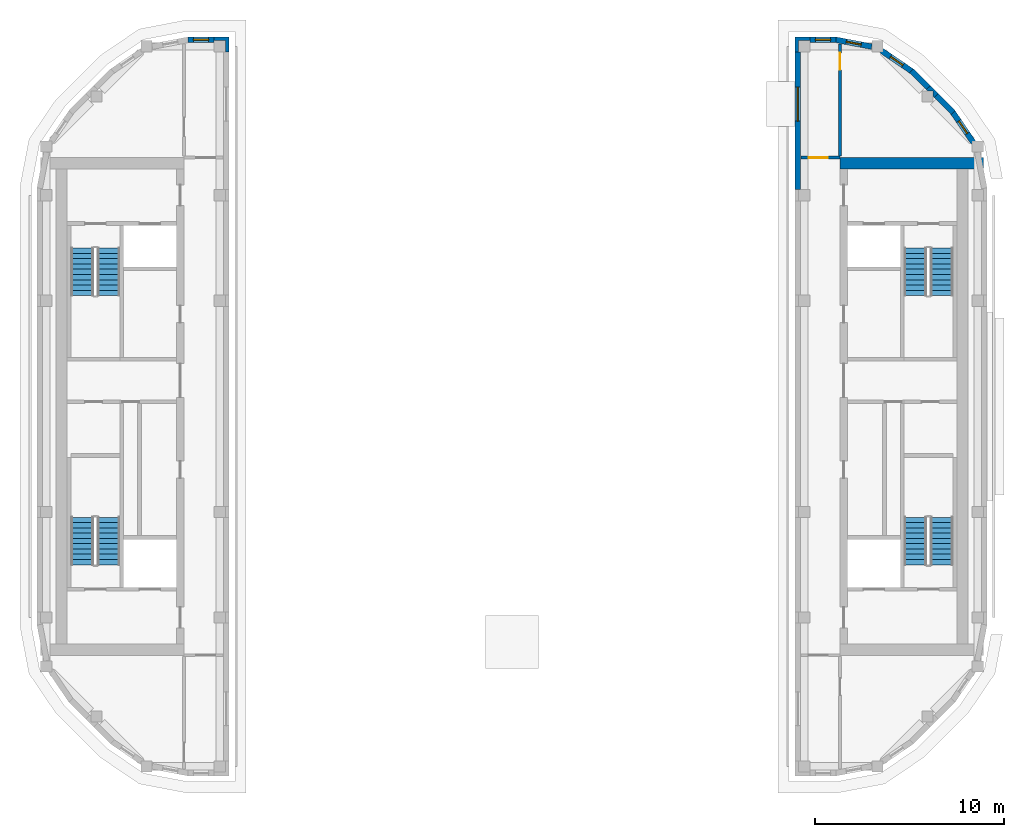
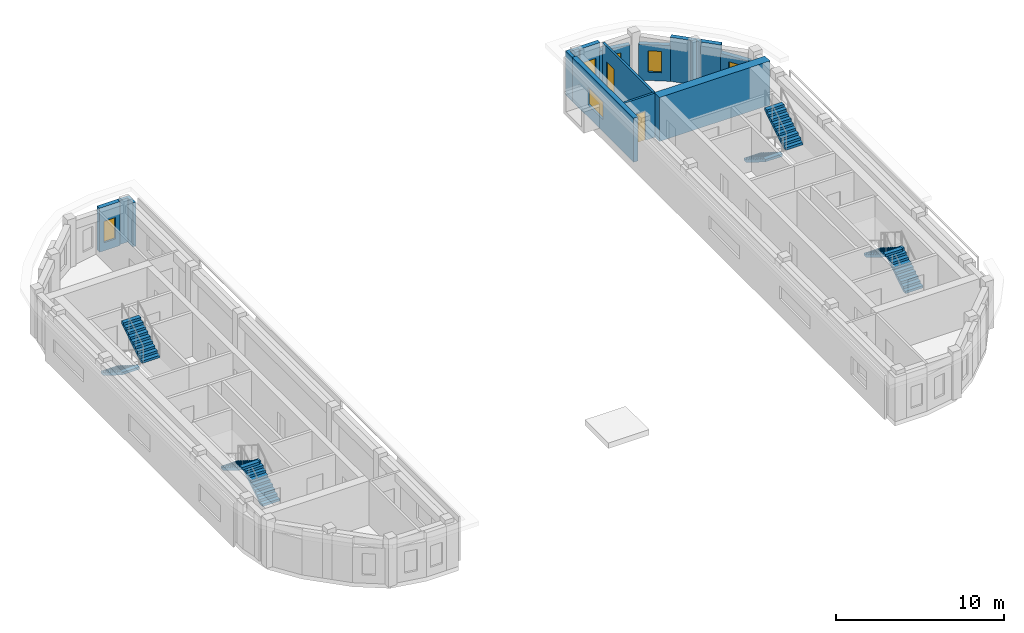
# One storey, part 5 of 11: 14 walls, 8 stair flights, 6 windows, 2 doors, 8 openings, 4 elements without a shape of their own.
"""IFC4 building model written with IfcOpenShell, lengths in metres."""

import ifcopenshell
import ifcopenshell.guid

model = None  # the IFC model being written
_history = None  # IfcOwnerHistory: only IFC2X3 demands one
_inside = {}  # id of a spatial element -> (the spatial element, [elements in it])
_under = {}  # id of a project, library or spatial element -> (it, [spatial elements below it])
_declared = {}  # id of a project -> (the project, [libraries it declares])
_typed = {}  # id of a type object -> (the type object, [elements of that type])
_made_of = {}  # id of a material, layer set ... -> (it, [elements and type objects made of it])


def new_model(schema):
    """Start an empty IFC model of exactly this schema.

    Asked for "IFC4X3", IfcOpenShell would pick the latest addendum, in which some entities
    have other attributes; the version numbers below select the first issue.
    IFC2X3 requires an IfcOwnerHistory on every rooted entity: one is made here for all.
    """
    global model, _history
    if schema == "IFC4X3":
        model = ifcopenshell.file(schema_version=(4, 3, 0, 0))
    else:
        model = ifcopenshell.file(schema=schema)
    _inside.clear()
    _under.clear()
    _declared.clear()
    _typed.clear()
    _made_of.clear()
    _history = None
    if model.schema == "IFC2X3":
        org = make("IfcOrganization", Name="unknown")
        user = make(
            "IfcPersonAndOrganization",
            ThePerson=make("IfcPerson", FamilyName="unknown"),
            TheOrganization=org,
        )
        app = make(
            "IfcApplication",
            ApplicationDeveloper=org,
            Version="unknown",
            ApplicationFullName="unknown",
            ApplicationIdentifier="unknown",
        )
        _history = make(
            "IfcOwnerHistory",
            OwningUser=user,
            OwningApplication=app,
            ChangeAction="ADDED",
            CreationDate=0,
        )
    return model


def make(cls, **values):
    """One entity of the class cls with the attributes given. An attribute that is None is left unset."""
    return model.create_entity(
        cls, **{name: value for name, value in values.items() if value is not None}
    )


def rooted(cls, **values):
    """An entity with a GlobalId (a new one), such as an element, a storey or a relation."""
    return make(cls, GlobalId=ifcopenshell.guid.new(), OwnerHistory=_history, **values)


def si_unit(unit_type, name, prefix=None):
    """IfcSIUnit, for example si_unit("LENGTHUNIT", "METRE", prefix="MILLI")."""
    return make("IfcSIUnit", UnitType=unit_type, Prefix=prefix, Name=name)


def assignment(units):
    """IfcUnitAssignment: the units of a project."""
    return None if units is None else make("IfcUnitAssignment", Units=units)


def point(xyz):
    """IfcCartesianPoint."""
    return None if xyz is None else make("IfcCartesianPoint", Coordinates=xyz)


def direction(xyz):
    """IfcDirection."""
    return None if xyz is None else make("IfcDirection", DirectionRatios=xyz)


def frame(location, z_axis=None, x_axis=None):
    """IfcAxis2Placement3D, a coordinate frame: its origin and axes. An axis left out is left unset."""
    return make(
        "IfcAxis2Placement3D",
        Location=point(location),
        Axis=direction(z_axis),
        RefDirection=direction(x_axis),
    )


def frame_2d(location, x_axis=None):
    """IfcAxis2Placement2D, a coordinate frame in the plane: its origin and x axis."""
    return make(
        "IfcAxis2Placement2D", Location=point(location), RefDirection=direction(x_axis)
    )


def origin():
    """The frame at (0, 0, 0) with its axes left unset."""
    return frame((0.0, 0.0, 0.0))


def place(relative_to, where):
    """IfcLocalPlacement: puts the frame where relative to a parent placement (None: the world)."""
    return make(
        "IfcLocalPlacement", PlacementRelTo=relative_to, RelativePlacement=where
    )


def context(
    kind, dimensions, precision=None, world=None, true_north=None, identifier=None
):
    """IfcGeometricRepresentationContext, for example the 3D "Model" context."""
    return make(
        "IfcGeometricRepresentationContext",
        ContextIdentifier=identifier,
        ContextType=kind,
        CoordinateSpaceDimension=dimensions,
        Precision=precision,
        WorldCoordinateSystem=world,
        TrueNorth=true_north,
    )


def subcontext(parent, identifier, kind, view, scale=None):
    """IfcGeometricRepresentationSubContext, for example "Body" below "Model"."""
    return make(
        "IfcGeometricRepresentationSubContext",
        ContextIdentifier=identifier,
        ContextType=kind,
        ParentContext=parent,
        TargetScale=scale,
        TargetView=view,
    )


def project(units=None, contexts=None):
    """IfcProject with its units and contexts."""
    return rooted(
        "IfcProject",
        Name="project",
        RepresentationContexts=contexts,
        UnitsInContext=assignment(units),
    )


def spatial(cls, under=None, at=None, **own):
    """A site, building, storey or space (cls), placed at a placement, below another one or the project."""
    s = rooted(cls, ObjectPlacement=at, **own)
    if under is not None:
        _under.setdefault(under.id(), (under, []))[1].append(s)
    return s


def polyline(points):
    """IfcPolyline through the points."""
    return make("IfcPolyline", Points=[point(p) for p in points])


def profile(cls, at=None, kind="AREA", **sizes):
    """A parametric profile (cls). Its sizes go by their IFC names, for example OverallWidth=200.0."""
    return make(cls, ProfileType=kind, Position=at, **sizes)


def rectangle(**sizes):
    """IfcRectangleProfileDef."""
    return profile("IfcRectangleProfileDef", **sizes)


def outline(outer, holes=None, kind="AREA"):
    """IfcArbitraryClosedProfileDef: a profile drawn as a closed curve; with holes, ...WithVoids."""
    if holes is None:
        return make("IfcArbitraryClosedProfileDef", ProfileType=kind, OuterCurve=outer)
    return make(
        "IfcArbitraryProfileDefWithVoids",
        ProfileType=kind,
        OuterCurve=outer,
        InnerCurves=holes,
    )


def extrude(swept, where, along, depth):
    """IfcExtrudedAreaSolid: the profile swept, set in the frame where, extruded along a direction by depth."""
    return make(
        "IfcExtrudedAreaSolid",
        SweptArea=swept,
        Position=where,
        ExtrudedDirection=direction(along),
        Depth=depth,
    )


def shape(context_of_items, identifier, shape_type, items):
    """IfcShapeRepresentation: the items that make up one representation, for example the "Body"."""
    return make(
        "IfcShapeRepresentation",
        ContextOfItems=context_of_items,
        RepresentationIdentifier=identifier,
        RepresentationType=shape_type,
        Items=items,
    )


def material(Name=None, Category=None):
    """IfcMaterial."""
    return make("IfcMaterial", Name=Name, Category=Category)


def layer(
    of_material, thickness, ventilated=None, Name=None, Category=None, Priority=None
):
    """IfcMaterialLayer: one layer of a wall or slab, of a material (None: an air gap)."""
    return make(
        "IfcMaterialLayer",
        Material=of_material,
        LayerThickness=thickness,
        IsVentilated=ventilated,
        Name=Name,
        Category=Category,
        Priority=Priority,
    )


def layer_set(layers, Name=None):
    """IfcMaterialLayerSet."""
    return make("IfcMaterialLayerSet", MaterialLayers=layers, LayerSetName=Name)


def made_of(thing, what):
    """Note that an element or type object is made of a material, layer set ...; save() writes the relation."""
    if what is not None:
        _made_of.setdefault(what.id(), (what, []))[1].append(thing)
    return thing


def type_object(cls, material=None, **own):
    """A type object (cls), such as IfcWallType, which elements share."""
    return made_of(rooted(cls, **own), material)


def element(
    cls,
    number,
    at=None,
    inside=None,
    cuts=None,
    type_object=None,
    material=None,
    context=None,
    identifier="Body",
    shape_type=None,
    held_by="IfcProductDefinitionShape",
    body=None,
    shapes=None,
    **own,
):
    """One element of the class cls, such as IfcWall. Its Tag is "e" and its number.

    at: its placement. inside: the storey or other place that contains it. cuts: it is an
    opening in that element (IfcRelVoidsElement). A single representation is given by context,
    identifier, shape_type and body (its items); several are given by shapes. held_by: the class
    of the entity that holds the representations. save() writes the other relations.
    """
    e = rooted(cls, Tag="e%d" % number, ObjectPlacement=at, **own)
    if body is not None:
        shapes = [shape(context, identifier, shape_type, body)]
    if shapes is not None:
        e.Representation = make(held_by, Representations=shapes)
    if inside is not None:
        _inside.setdefault(inside.id(), (inside, []))[1].append(e)
    if cuts is not None:
        rooted(
            "IfcRelVoidsElement", RelatingBuildingElement=cuts, RelatedOpeningElement=e
        )
    if type_object is not None:
        _typed.setdefault(type_object.id(), (type_object, []))[1].append(e)
    return made_of(e, material)


def fill(opening, filler):
    """IfcRelFillsElement: the door or window that sits in an opening."""
    return rooted(
        "IfcRelFillsElement",
        RelatingOpeningElement=opening,
        RelatedBuildingElement=filler,
    )


def aggregate(whole, parts):
    """IfcRelAggregates: a whole, such as a stair, and the parts it consists of."""
    return rooted("IfcRelAggregates", RelatingObject=whole, RelatedObjects=parts)


def save(model, path):
    """Write the relations noted so far, then the file.

    IfcRelAggregates (storeys below a building ...), IfcRelContainedInSpatialStructure (elements
    in a storey), IfcRelDefinesByType, IfcRelAssociatesMaterial and IfcRelDeclares: one each for
    every whole, place, type object, material and project.
    """
    for whole, parts in _under.values():
        aggregate(whole, parts)
    for where, things in _inside.values():
        rooted(
            "IfcRelContainedInSpatialStructure",
            RelatedElements=things,
            RelatingStructure=where,
        )
    for kind, things in _typed.values():
        rooted("IfcRelDefinesByType", RelatedObjects=things, RelatingType=kind)
    for what, things in _made_of.values():
        rooted("IfcRelAssociatesMaterial", RelatedObjects=things, RelatingMaterial=what)
    for by, libraries in _declared.values():
        rooted("IfcRelDeclares", RelatingContext=by, RelatedDefinitions=libraries)
    model.write(path)


model = new_model("IFC4")

# Units and contexts
model_context = context("Model", 3, precision=1e-05, world=origin(), true_north=direction((0.0, 1.0)))
body_context = subcontext(model_context, "Body", "Model", "MODEL_VIEW")
ifc_project = project(units=[si_unit("LENGTHUNIT", "METRE"), si_unit("AREAUNIT", "SQUARE_METRE"), si_unit("VOLUMEUNIT", "CUBIC_METRE"), si_unit("PLANEANGLEUNIT", "RADIAN"), si_unit("MASSUNIT", "GRAM", prefix="KILO")], contexts=[model_context])

# Site, building, storey
site_placement = place(None, origin())
site = spatial("IfcSite", under=ifc_project, at=site_placement, CompositionType="ELEMENT")
building_placement = place(site_placement, origin())
building = spatial("IfcBuilding", under=site, at=building_placement, Name="Kiln Ring Residences", CompositionType="ELEMENT")
storey_placement = place(building_placement, frame((0.0, 0.0, 303.39990234375)))
storey = spatial("IfcBuildingStorey", under=building, at=storey_placement, Name="L78 Crown", CompositionType="ELEMENT", Elevation=303.39990234375)

# Wall
ifc_material_1 = material(Name="Concrete C60/75", Category="concrete")
ifc_layer_1 = layer(ifc_material_1, 0.60009765625)
ifc_layer_set_1 = layer_set([ifc_layer_1], Name="CORE-WALL-RC600")
wall_type_1 = type_object("IfcWallType", Name="CORE-WALL-RC600", PredefinedType="SHEAR", material=ifc_layer_set_1)
wall_1_placement = place(storey_placement, frame((17.39990234375, 12.89990234375, 0.0), z_axis=(0.0, 0.0, 1.0), x_axis=(1.0, 0.0, 0.0)))
element("IfcWall", 1, at=wall_1_placement, inside=storey, type_object=wall_type_1, Name="Core wall east L78 Crown 4", PredefinedType="SHEAR", context=body_context, shape_type="SweptSolid", body=[
    extrude(rectangle(XDim=7.60009765625, YDim=0.60009765625, at=frame_2d((3.800048828125, 0.0))), origin(), (0.0, 0.0, 1.0), 3.2001953125),
])

# Wall, opening, window
ifc_material_2 = material(Name="Brick masonry, dark clay brick", Category="masonry")
ifc_layer_2 = layer(ifc_material_2, 0.300048828125)
ifc_layer_set_2 = layer_set([ifc_layer_2], Name="EW-300 BRICK WALL")
wall_type_2 = type_object("IfcWallType", Name="EW-300 BRICK WALL", PredefinedType="SOLIDWALL", material=ifc_layer_set_2)
wall_2_placement = place(storey_placement, frame((-15.800048828125, 19.449951171875, 0.0), z_axis=(0.0, 0.0, 1.0), x_axis=(-1.0, 0.0, 0.0)))
wall_2 = element("IfcWall", 2, at=wall_2_placement, inside=storey, type_object=wall_type_2, Name="Facade wall L78 Crown 9", PredefinedType="SOLIDWALL", context=body_context, shape_type="SweptSolid", body=[
    extrude(rectangle(XDim=1.39990234375, YDim=0.300048828125, at=frame_2d((0.699951171875, 0.0))), origin(), (0.0, 0.0, 1.0), 3.2001953125),
])
opening_1_placement = place(wall_2_placement, frame((0.300048828125, 0.0, 0.60009765625)))
opening_1 = element("IfcOpeningElement", 3, at=opening_1_placement, cuts=wall_2, Name="Opening W5", PredefinedType="OPENING", context=body_context, shape_type="SweptSolid", body=[
    extrude(rectangle(XDim=0.800048828125, YDim=1.550048828125, at=frame_2d((0.39990234375, 0.77490234375))), frame((0.0, 0.159912109375, 0.0), z_axis=(0.0, -1.0, 0.0), x_axis=(1.0, 0.0, 0.0)), (0.0, 0.0, 1.0), 0.320068359375),
])
ifc_material_3 = material(Name="Aluminium frame with double glazing", Category="aluminium")
window_type_1 = type_object("IfcWindowType", Name="WINDOW 800 x 1550", PartitioningType="SINGLE_PANEL", PredefinedType="WINDOW", material=ifc_material_3)
window_1_placement = place(opening_1_placement, origin())
window_1 = element("IfcWindow", 4, at=window_1_placement, inside=storey, type_object=window_type_1, Name="Window L78 Crown 6", OverallHeight=1.550048828125, OverallWidth=0.800048828125, PartitioningType="SINGLE_PANEL", PredefinedType="WINDOW", context=body_context, shape_type="SweptSolid", body=[
    extrude(rectangle(XDim=0.800048828125, YDim=1.550048828125, at=frame_2d((0.39990234375, 0.77490234375))), frame((0.0, 0.030029296875, 0.0), z_axis=(0.0, -1.0, 0.0), x_axis=(1.0, 0.0, 0.0)), (0.0, 0.0, 1.0), 0.06005859375),
])
fill(opening_1, window_1)

wall_3_placement = place(storey_placement, frame((15.14990234375, 18.800048828125, 0.0), z_axis=(0.0, 0.0, 1.0), x_axis=(0.0, -1.0, 0.0)))
wall_3 = element("IfcWall", 5, at=wall_3_placement, inside=storey, type_object=wall_type_2, Name="Facade wall L78 Crown 23", PredefinedType="SOLIDWALL", context=body_context, shape_type="SweptSolid", body=[
    extrude(rectangle(XDim=7.300048828125, YDim=0.300048828125, at=frame_2d((3.64990234375, 0.0))), origin(), (0.0, 0.0, 1.0), 3.2001953125),
])
opening_2_placement = place(wall_3_placement, frame((1.862548828125, 0.0, 0.89990234375)))
opening_2 = element("IfcOpeningElement", 6, at=opening_2_placement, cuts=wall_3, Name="Opening W2", PredefinedType="OPENING", context=body_context, shape_type="SweptSolid", body=[
    extrude(rectangle(XDim=1.800048828125, YDim=1.25, at=frame_2d((0.89990234375, 0.625))), frame((0.0, 0.159912109375, 0.0), z_axis=(0.0, -1.0, 0.0), x_axis=(1.0, 0.0, 0.0)), (0.0, 0.0, 1.0), 0.320068359375),
])
ifc_material_4 = material(Name="Aluminium frame with double glazing", Category="aluminium")
window_type_2 = type_object("IfcWindowType", Name="WINDOW 1800 x 1250", PartitioningType="SINGLE_PANEL", PredefinedType="WINDOW", material=ifc_material_4)
window_2_placement = place(opening_2_placement, origin())
window_2 = element("IfcWindow", 7, at=window_2_placement, inside=storey, type_object=window_type_2, Name="Window L78 Crown 10", OverallHeight=1.25, OverallWidth=1.800048828125, PartitioningType="SINGLE_PANEL", PredefinedType="WINDOW", context=body_context, shape_type="SweptSolid", body=[
    extrude(rectangle(XDim=1.800048828125, YDim=1.25, at=frame_2d((0.89990234375, 0.625))), frame((0.0, 0.030029296875, 0.0), z_axis=(0.0, -1.0, 0.0), x_axis=(1.0, 0.0, 0.0)), (0.0, 0.0, 1.0), 0.06005859375),
])
fill(opening_2, window_2)

wall_4_placement = place(storey_placement, frame((24.4736328125, 14.001708984375, 0.0), z_axis=(0.0, 0.0, 1.0), x_axis=(-0.562025435703, 0.827119948752, 0.0)))
wall_4 = element("IfcWall", 8, at=wall_4_placement, inside=storey, type_object=wall_type_2, Name="Facade wall L78 Crown 39", PredefinedType="SOLIDWALL", context=body_context, shape_type="SweptSolid", body=[
    extrude(rectangle(XDim=1.94775390625, YDim=0.300048828125, at=frame_2d((0.973876953125, 0.0))), origin(), (0.0, 0.0, 1.0), 2.60009765625),
])
opening_3_placement = place(wall_4_placement, frame((0.573974609375, 0.0, 0.60009765625)))
opening_3 = element("IfcOpeningElement", 9, at=opening_3_placement, cuts=wall_4, Name="Opening W5", PredefinedType="OPENING", context=body_context, shape_type="SweptSolid", body=[
    extrude(rectangle(XDim=0.800048828125, YDim=1.550048828125, at=frame_2d((0.39990234375, 0.77490234375))), frame((0.0, 0.159912109375, 0.0), z_axis=(0.0, -1.0, 0.0), x_axis=(1.0, 0.0, 0.0)), (0.0, 0.0, 1.0), 0.320068359375),
])
window_3_placement = place(opening_3_placement, origin())
window_3 = element("IfcWindow", 10, at=window_3_placement, inside=storey, type_object=window_type_1, Name="Window L78 Crown 16", OverallHeight=1.550048828125, OverallWidth=0.800048828125, PartitioningType="SINGLE_PANEL", PredefinedType="WINDOW", context=body_context, shape_type="SweptSolid", body=[
    extrude(rectangle(XDim=0.800048828125, YDim=1.550048828125, at=frame_2d((0.39990234375, 0.77490234375))), frame((0.0, 0.030029296875, 0.0), z_axis=(0.0, -1.0, 0.0), x_axis=(1.0, 0.0, 0.0)), (0.0, 0.0, 1.0), 0.06005859375),
])
fill(opening_3, window_3)

# Walls
for number, where, z_axis, x_axis, name in (
    (11, (23.39697265625, 15.591064453125, 0.0), (0.0, 0.0, 1.0), (-0.707203678312, 0.707009870781, 0.0), "Facade wall L78 Crown 40"),
    (12, (22.081787109375, 16.906005859375, 0.0), (0.0, 0.0, 1.0), (-0.707106781187, 0.707106781187, 0.0), "Facade wall L78 Crown 41"),
):
    element("IfcWall", number, at=place(storey_placement, frame(where, z_axis=z_axis, x_axis=x_axis)), inside=storey, type_object=wall_type_2, Name=name, PredefinedType="SOLIDWALL", context=body_context, shape_type="SweptSolid", body=[
        extrude(rectangle(XDim=1.259765625, YDim=0.300048828125, at=frame_2d((0.6298828125, 0.0))), origin(), (0.0, 0.0, 1.0), 3.2001953125),
    ])

# Wall, opening, window
wall_5_placement = place(storey_placement, frame((21.212646484375, 17.77880859375, 0.0), z_axis=(0.0, 0.0, 1.0), x_axis=(-0.827022075481, 0.562169446579, 0.0)))
wall_5 = element("IfcWall", 13, at=wall_5_placement, inside=storey, type_object=wall_type_2, Name="Facade wall L78 Crown 42", PredefinedType="SOLIDWALL", context=body_context, shape_type="SweptSolid", body=[
    extrude(rectangle(XDim=1.94775390625, YDim=0.300048828125, at=frame_2d((0.973876953125, 0.0))), origin(), (0.0, 0.0, 1.0), 2.60009765625),
])
opening_4_placement = place(wall_5_placement, frame((0.573974609375, 0.0, 0.60009765625)))
opening_4 = element("IfcOpeningElement", 14, at=opening_4_placement, cuts=wall_5, Name="Opening W5", PredefinedType="OPENING", context=body_context, shape_type="SweptSolid", body=[
    extrude(rectangle(XDim=0.800048828125, YDim=1.550048828125, at=frame_2d((0.39990234375, 0.77490234375))), frame((0.0, 0.159912109375, 0.0), z_axis=(0.0, -1.0, 0.0), x_axis=(1.0, 0.0, 0.0)), (0.0, 0.0, 1.0), 0.320068359375),
])
window_4_placement = place(opening_4_placement, origin())
window_4 = element("IfcWindow", 15, at=window_4_placement, inside=storey, type_object=window_type_1, Name="Window L78 Crown 17", OverallHeight=1.550048828125, OverallWidth=0.800048828125, PartitioningType="SINGLE_PANEL", PredefinedType="WINDOW", context=body_context, shape_type="SweptSolid", body=[
    extrude(rectangle(XDim=0.800048828125, YDim=1.550048828125, at=frame_2d((0.39990234375, 0.77490234375))), frame((0.0, 0.030029296875, 0.0), z_axis=(0.0, -1.0, 0.0), x_axis=(1.0, 0.0, 0.0)), (0.0, 0.0, 1.0), 0.06005859375),
])
fill(opening_4, window_4)

wall_6_placement = place(storey_placement, frame((19.085205078125, 19.087646484375, 0.0), z_axis=(0.0, 0.0, 1.0), x_axis=(-0.982286967073, 0.187382801553, 0.0)))
wall_6 = element("IfcWall", 16, at=wall_6_placement, inside=storey, type_object=wall_type_2, Name="Facade wall L78 Crown 43", PredefinedType="SOLIDWALL", context=body_context, shape_type="SweptSolid", body=[
    extrude(rectangle(XDim=1.94775390625, YDim=0.300048828125, at=frame_2d((0.973876953125, 0.0))), origin(), (0.0, 0.0, 1.0), 2.60009765625),
])
opening_5_placement = place(wall_6_placement, frame((0.573974609375, 0.0, 0.60009765625)))
opening_5 = element("IfcOpeningElement", 17, at=opening_5_placement, cuts=wall_6, Name="Opening W5", PredefinedType="OPENING", context=body_context, shape_type="SweptSolid", body=[
    extrude(rectangle(XDim=0.800048828125, YDim=1.550048828125, at=frame_2d((0.39990234375, 0.77490234375))), frame((0.0, 0.159912109375, 0.0), z_axis=(0.0, -1.0, 0.0), x_axis=(1.0, 0.0, 0.0)), (0.0, 0.0, 1.0), 0.320068359375),
])
window_5_placement = place(opening_5_placement, origin())
window_5 = element("IfcWindow", 18, at=window_5_placement, inside=storey, type_object=window_type_1, Name="Window L78 Crown 18", OverallHeight=1.550048828125, OverallWidth=0.800048828125, PartitioningType="SINGLE_PANEL", PredefinedType="WINDOW", context=body_context, shape_type="SweptSolid", body=[
    extrude(rectangle(XDim=0.800048828125, YDim=1.550048828125, at=frame_2d((0.39990234375, 0.77490234375))), frame((0.0, 0.030029296875, 0.0), z_axis=(0.0, -1.0, 0.0), x_axis=(1.0, 0.0, 0.0)), (0.0, 0.0, 1.0), 0.06005859375),
])
fill(opening_5, window_5)

wall_7_placement = place(storey_placement, frame((17.199951171875, 19.449951171875, 0.0), z_axis=(0.0, 0.0, 1.0), x_axis=(-1.0, 0.0, 0.0)))
wall_7 = element("IfcWall", 19, at=wall_7_placement, inside=storey, type_object=wall_type_2, Name="Facade wall L78 Crown 44", PredefinedType="SOLIDWALL", context=body_context, shape_type="SweptSolid", body=[
    extrude(rectangle(XDim=1.39990234375, YDim=0.300048828125, at=frame_2d((0.699951171875, 0.0))), origin(), (0.0, 0.0, 1.0), 3.2001953125),
])
opening_6_placement = place(wall_7_placement, frame((0.300048828125, 0.0, 0.60009765625)))
opening_6 = element("IfcOpeningElement", 20, at=opening_6_placement, cuts=wall_7, Name="Opening W5", PredefinedType="OPENING", context=body_context, shape_type="SweptSolid", body=[
    extrude(rectangle(XDim=0.800048828125, YDim=1.550048828125, at=frame_2d((0.39990234375, 0.77490234375))), frame((0.0, 0.159912109375, 0.0), z_axis=(0.0, -1.0, 0.0), x_axis=(1.0, 0.0, 0.0)), (0.0, 0.0, 1.0), 0.320068359375),
])
window_6_placement = place(opening_6_placement, origin())
window_6 = element("IfcWindow", 21, at=window_6_placement, inside=storey, type_object=window_type_1, Name="Window L78 Crown 19", OverallHeight=1.550048828125, OverallWidth=0.800048828125, PartitioningType="SINGLE_PANEL", PredefinedType="WINDOW", context=body_context, shape_type="SweptSolid", body=[
    extrude(rectangle(XDim=0.800048828125, YDim=1.550048828125, at=frame_2d((0.39990234375, 0.77490234375))), frame((0.0, 0.030029296875, 0.0), z_axis=(0.0, -1.0, 0.0), x_axis=(1.0, 0.0, 0.0)), (0.0, 0.0, 1.0), 0.06005859375),
])
fill(opening_6, window_6)

# Walls
placement = place(storey_placement, origin())
element("IfcWall", 22, at=placement, inside=storey, type_object=wall_type_2, Name="Corner wall L78 Crown 6", PredefinedType="SOLIDWALL", context=body_context, shape_type="SweptSolid", body=[
    extrude(outline(polyline([(-15.0, 18.800048828125), (-15.0, 19.60009765625), (-15.800048828125, 19.60009765625), (-15.800048828125, 19.39990234375), (-15.199951171875, 19.39990234375), (-15.199951171875, 18.800048828125), (-15.0, 18.800048828125)])), origin(), (0.0, 0.0, 1.0), 3.2001953125),
])
element("IfcWall", 23, at=placement, inside=storey, type_object=wall_type_2, Name="Corner wall L78 Crown 13", PredefinedType="SOLIDWALL", context=body_context, shape_type="SweptSolid", body=[
    extrude(outline(polyline([(22.39990234375, 16.375732421875), (22.612060546875, 16.587890625), (22.18798828125, 17.01220703125), (21.9755859375, 16.800048828125), (22.029296875, 16.746337890625), (22.346435546875, 16.746337890625), (22.346435546875, 16.42919921875), (22.39990234375, 16.375732421875)])), origin(), (0.0, 0.0, 1.0), 3.2001953125),
])
element("IfcWall", 24, at=placement, inside=storey, type_object=wall_type_2, Name="Corner wall L78 Crown 24", PredefinedType="SOLIDWALL", context=body_context, shape_type="SweptSolid", body=[
    extrude(outline(polyline([(15.800048828125, 19.60009765625), (15.0, 19.60009765625), (15.0, 18.800048828125), (15.199951171875, 18.800048828125), (15.199951171875, 19.39990234375), (15.800048828125, 19.39990234375), (15.800048828125, 19.60009765625)])), origin(), (0.0, 0.0, 1.0), 3.2001953125),
])

# Wall, opening, door
ifc_material_5 = material(Name="Brick masonry partition", Category="masonry")
ifc_layer_3 = layer(ifc_material_5, 0.14990234375)
ifc_layer_set_3 = layer_set([ifc_layer_3], Name="PARTITION-150-ei60")
wall_type_3 = type_object("IfcWallType", Name="PARTITION-150-ei60", PredefinedType="PARTITIONING", material=ifc_layer_set_3)
wall_11_placement = place(storey_placement, frame((15.320068359375, 13.199951171875, 0.0), z_axis=(0.0, 0.0, 1.0), x_axis=(1.0, 0.0, 0.0)))
wall_11 = element("IfcWall", 25, at=wall_11_placement, inside=storey, type_object=wall_type_3, Name="Partition 003", PredefinedType="PARTITIONING", context=body_context, shape_type="SweptSolid", body=[
    extrude(rectangle(XDim=2.0849609375, YDim=0.14990234375, at=frame_2d((1.04248046875, 0.0))), origin(), (0.0, 0.0, 1.0), 3.2001953125),
])
opening_7_placement = place(wall_11_placement, frame((0.429931640625, 0.0, 0.0)))
opening_7 = element("IfcOpeningElement", 26, at=opening_7_placement, cuts=wall_11, Name="Opening L78-D005", PredefinedType="OPENING", context=body_context, shape_type="SweptSolid", body=[
    extrude(rectangle(XDim=1.0, YDim=2.10009765625, at=frame_2d((0.5, 1.050048828125))), frame((0.0, 0.0849609375, 0.0), z_axis=(0.0, -1.0, 0.0), x_axis=(1.0, 0.0, 0.0)), (0.0, 0.0, 1.0), 0.169921875),
])
ifc_material_6 = material(Name="Steel faced fire door leaf", Category="steel")
door_type_1 = type_object("IfcDoorType", Name="FLAT-DOOR-1000-FR", OperationType="SINGLE_SWING_LEFT", PredefinedType="DOOR", material=ifc_material_6)
door_1_placement = place(opening_7_placement, origin())
door_1 = element("IfcDoor", 27, at=door_1_placement, inside=storey, type_object=door_type_1, Name="Door L78-D005", OperationType="SINGLE_SWING_RIGHT", OverallHeight=2.10009765625, OverallWidth=1.0, PredefinedType="DOOR", context=body_context, shape_type="SweptSolid", body=[
    extrude(rectangle(XDim=1.0, YDim=2.10009765625, at=frame_2d((0.5, 1.050048828125))), frame((0.0, 0.02490234375, 0.0), z_axis=(0.0, -1.0, 0.0), x_axis=(1.0, 0.0, 0.0)), (0.0, 0.0, 1.0), 0.050048828125),
])
fill(opening_7, door_1)

wall_12_placement = place(storey_placement, frame((17.39990234375, 13.27490234375, 0.0), z_axis=(0.0, 0.0, 1.0), x_axis=(0.0, 1.0, 0.0)))
wall_12 = element("IfcWall", 28, at=wall_12_placement, inside=storey, type_object=wall_type_3, Name="Partition 007", PredefinedType="PARTITIONING", context=body_context, shape_type="SweptSolid", body=[
    extrude(rectangle(XDim=5.96142578125, YDim=0.14990234375, at=frame_2d((2.980712890625, 0.0))), origin(), (0.0, 0.0, 1.0), 3.2001953125),
])
opening_8_placement = place(wall_12_placement, frame((4.574951171875, 0.0, 0.0)))
opening_8 = element("IfcOpeningElement", 29, at=opening_8_placement, cuts=wall_12, Name="Opening L78-D006", PredefinedType="OPENING", context=body_context, shape_type="SweptSolid", body=[
    extrude(rectangle(XDim=0.89990234375, YDim=2.10009765625, at=frame_2d((0.449951171875, 1.050048828125))), frame((0.0, 0.0849609375, 0.0), z_axis=(0.0, -1.0, 0.0), x_axis=(1.0, 0.0, 0.0)), (0.0, 0.0, 1.0), 0.169921875),
])
ifc_material_7 = material(Name="Steel faced fire door leaf", Category="steel")
door_type_2 = type_object("IfcDoorType", Name="FLAT-DOOR-900-FR", OperationType="SINGLE_SWING_LEFT", PredefinedType="DOOR", material=ifc_material_7)
door_2_placement = place(opening_8_placement, origin())
door_2 = element("IfcDoor", 30, at=door_2_placement, inside=storey, type_object=door_type_2, Name="Door L78-D006", OperationType="SINGLE_SWING_RIGHT", OverallHeight=2.10009765625, OverallWidth=0.89990234375, PredefinedType="DOOR", context=body_context, shape_type="SweptSolid", body=[
    extrude(rectangle(XDim=0.89990234375, YDim=2.10009765625, at=frame_2d((0.449951171875, 1.050048828125))), frame((0.0, 0.02490234375, 0.0), z_axis=(0.0, -1.0, 0.0), x_axis=(1.0, 0.0, 0.0)), (0.0, 0.0, 1.0), 0.050048828125),
])
fill(opening_8, door_2)

# Stair, stair flights
ifc_material_8 = material(Name="Concrete C40/50", Category="concrete")
stair_type = type_object("IfcStairType", Name="CORE-STAIR", PredefinedType="HALF_TURN_STAIR", material=ifc_material_8)
stair_1 = element("IfcStair", 31, at=placement, inside=storey, type_object=stair_type, Name="L78 Crown stair W-STN", PredefinedType="HALF_TURN_STAIR")
ifc_material_9 = material(Name="Concrete C40/50", Category="concrete")
stair_flight_type = type_object("IfcStairFlightType", Name="CORE-STAIR-FLIGHT", PredefinedType="STRAIGHT", material=ifc_material_9)
stair_flight_1_placement = place(storey_placement, frame((-22.800048828125, 8.39990234375, 0.0), z_axis=(0.0, 0.0, 1.0), x_axis=(0.0, -1.0, 0.0)))
stair_flight_1 = element("IfcStairFlight", 32, at=stair_flight_1_placement, type_object=stair_flight_type, Name="W-STN flight 1", NumberOfRisers=10, NumberOfTreads=9, PredefinedType="STRAIGHT", RiserHeight=0.175, TreadLength=0.28, context=body_context, shape_type="SweptSolid", body=[
    extrude(outline(polyline([(0.0, 0.0), (0.0, 0.175048828125), (0.280029296875, 0.175048828125), (0.280029296875, 0.35009765625), (0.56005859375, 0.35009765625), (0.56005859375, 0.52490234375), (0.840087890625, 0.52490234375), (0.840087890625, 0.699951171875), (1.1201171875, 0.699951171875), (1.1201171875, 0.875), (1.39990234375, 0.875), (1.39990234375, 1.050048828125), (1.679931640625, 1.050048828125), (1.679931640625, 1.22509765625), (1.9599609375, 1.22509765625), (1.9599609375, 1.39990234375), (2.239990234375, 1.39990234375), (2.239990234375, 1.574951171875), (2.52001953125, 1.574951171875), (2.52001953125, 1.75), (2.52001953125, 1.398193359375), (0.28271484375, 0.0), (0.0, 0.0)])), frame((0.0, 0.60009765625, 0.0), z_axis=(0.0, -1.0, 0.0), x_axis=(1.0, 0.0, 0.0)), (0.0, 0.0, 1.0), 1.199951171875),
])
stair_flight_2_placement = place(storey_placement, frame((-21.39990234375, 5.8798828125, 1.75), z_axis=(0.0, 0.0, 1.0), x_axis=(0.0, 1.0, 0.0)))
stair_flight_2 = element("IfcStairFlight", 33, at=stair_flight_2_placement, type_object=stair_flight_type, Name="W-STN flight 2", NumberOfRisers=10, NumberOfTreads=9, PredefinedType="STRAIGHT", RiserHeight=0.175, TreadLength=0.28, context=body_context, shape_type="SweptSolid", body=[
    extrude(outline(polyline([(0.0, 0.0), (0.0, 0.175048828125), (0.280029296875, 0.175048828125), (0.280029296875, 0.35009765625), (0.56005859375, 0.35009765625), (0.56005859375, 0.52490234375), (0.840087890625, 0.52490234375), (0.840087890625, 0.699951171875), (1.1201171875, 0.699951171875), (1.1201171875, 0.875), (1.39990234375, 0.875), (1.39990234375, 1.050048828125), (1.679931640625, 1.050048828125), (1.679931640625, 1.22509765625), (1.9599609375, 1.22509765625), (1.9599609375, 1.39990234375), (2.239990234375, 1.39990234375), (2.239990234375, 1.574951171875), (2.52001953125, 1.574951171875), (2.52001953125, 1.75), (2.52001953125, 1.398193359375), (0.28271484375, 0.0), (0.0, 0.0)])), frame((0.0, 0.60009765625, 0.0), z_axis=(0.0, -1.0, 0.0), x_axis=(1.0, 0.0, 0.0)), (0.0, 0.0, 1.0), 1.199951171875),
])
aggregate(stair_1, [stair_flight_1, stair_flight_2])

stair_2 = element("IfcStair", 34, at=placement, inside=storey, type_object=stair_type, Name="L78 Crown stair W-STS", PredefinedType="HALF_TURN_STAIR")
stair_flight_3_placement = place(storey_placement, frame((-21.39990234375, -8.39990234375, 0.0), z_axis=(0.0, 0.0, 1.0), x_axis=(0.0, 1.0, 0.0)))
stair_flight_3 = element("IfcStairFlight", 35, at=stair_flight_3_placement, type_object=stair_flight_type, Name="W-STS flight 1", NumberOfRisers=10, NumberOfTreads=9, PredefinedType="STRAIGHT", RiserHeight=0.175, TreadLength=0.28, context=body_context, shape_type="SweptSolid", body=[
    extrude(outline(polyline([(0.0, 0.0), (0.0, 0.175048828125), (0.280029296875, 0.175048828125), (0.280029296875, 0.35009765625), (0.56005859375, 0.35009765625), (0.56005859375, 0.52490234375), (0.840087890625, 0.52490234375), (0.840087890625, 0.699951171875), (1.1201171875, 0.699951171875), (1.1201171875, 0.875), (1.39990234375, 0.875), (1.39990234375, 1.050048828125), (1.679931640625, 1.050048828125), (1.679931640625, 1.22509765625), (1.9599609375, 1.22509765625), (1.9599609375, 1.39990234375), (2.239990234375, 1.39990234375), (2.239990234375, 1.574951171875), (2.52001953125, 1.574951171875), (2.52001953125, 1.75), (2.52001953125, 1.398193359375), (0.28271484375, 0.0), (0.0, 0.0)])), frame((0.0, 0.60009765625, 0.0), z_axis=(0.0, -1.0, 0.0), x_axis=(1.0, 0.0, 0.0)), (0.0, 0.0, 1.0), 1.199951171875),
])
stair_flight_4_placement = place(storey_placement, frame((-22.800048828125, -5.8798828125, 1.75), z_axis=(0.0, 0.0, 1.0), x_axis=(0.0, -1.0, 0.0)))
stair_flight_4 = element("IfcStairFlight", 36, at=stair_flight_4_placement, type_object=stair_flight_type, Name="W-STS flight 2", NumberOfRisers=10, NumberOfTreads=9, PredefinedType="STRAIGHT", RiserHeight=0.175, TreadLength=0.28, context=body_context, shape_type="SweptSolid", body=[
    extrude(outline(polyline([(0.0, 0.0), (0.0, 0.175048828125), (0.280029296875, 0.175048828125), (0.280029296875, 0.35009765625), (0.56005859375, 0.35009765625), (0.56005859375, 0.52490234375), (0.840087890625, 0.52490234375), (0.840087890625, 0.699951171875), (1.1201171875, 0.699951171875), (1.1201171875, 0.875), (1.39990234375, 0.875), (1.39990234375, 1.050048828125), (1.679931640625, 1.050048828125), (1.679931640625, 1.22509765625), (1.9599609375, 1.22509765625), (1.9599609375, 1.39990234375), (2.239990234375, 1.39990234375), (2.239990234375, 1.574951171875), (2.52001953125, 1.574951171875), (2.52001953125, 1.75), (2.52001953125, 1.398193359375), (0.28271484375, 0.0), (0.0, 0.0)])), frame((0.0, 0.60009765625, 0.0), z_axis=(0.0, -1.0, 0.0), x_axis=(1.0, 0.0, 0.0)), (0.0, 0.0, 1.0), 1.199951171875),
])
aggregate(stair_2, [stair_flight_3, stair_flight_4])

stair_3 = element("IfcStair", 37, at=placement, inside=storey, type_object=stair_type, Name="L78 Crown stair E-STN", PredefinedType="HALF_TURN_STAIR")
stair_flight_5_placement = place(storey_placement, frame((21.39990234375, 8.39990234375, 0.0), z_axis=(0.0, 0.0, 1.0), x_axis=(0.0, -1.0, 0.0)))
stair_flight_5 = element("IfcStairFlight", 38, at=stair_flight_5_placement, type_object=stair_flight_type, Name="E-STN flight 1", NumberOfRisers=10, NumberOfTreads=9, PredefinedType="STRAIGHT", RiserHeight=0.175, TreadLength=0.28, context=body_context, shape_type="SweptSolid", body=[
    extrude(outline(polyline([(0.0, 0.0), (0.0, 0.175048828125), (0.280029296875, 0.175048828125), (0.280029296875, 0.35009765625), (0.56005859375, 0.35009765625), (0.56005859375, 0.52490234375), (0.840087890625, 0.52490234375), (0.840087890625, 0.699951171875), (1.1201171875, 0.699951171875), (1.1201171875, 0.875), (1.39990234375, 0.875), (1.39990234375, 1.050048828125), (1.679931640625, 1.050048828125), (1.679931640625, 1.22509765625), (1.9599609375, 1.22509765625), (1.9599609375, 1.39990234375), (2.239990234375, 1.39990234375), (2.239990234375, 1.574951171875), (2.52001953125, 1.574951171875), (2.52001953125, 1.75), (2.52001953125, 1.398193359375), (0.28271484375, 0.0), (0.0, 0.0)])), frame((0.0, 0.60009765625, 0.0), z_axis=(0.0, -1.0, 0.0), x_axis=(1.0, 0.0, 0.0)), (0.0, 0.0, 1.0), 1.199951171875),
])
stair_flight_6_placement = place(storey_placement, frame((22.800048828125, 5.8798828125, 1.75), z_axis=(0.0, 0.0, 1.0), x_axis=(0.0, 1.0, 0.0)))
stair_flight_6 = element("IfcStairFlight", 39, at=stair_flight_6_placement, type_object=stair_flight_type, Name="E-STN flight 2", NumberOfRisers=10, NumberOfTreads=9, PredefinedType="STRAIGHT", RiserHeight=0.175, TreadLength=0.28, context=body_context, shape_type="SweptSolid", body=[
    extrude(outline(polyline([(0.0, 0.0), (0.0, 0.175048828125), (0.280029296875, 0.175048828125), (0.280029296875, 0.35009765625), (0.56005859375, 0.35009765625), (0.56005859375, 0.52490234375), (0.840087890625, 0.52490234375), (0.840087890625, 0.699951171875), (1.1201171875, 0.699951171875), (1.1201171875, 0.875), (1.39990234375, 0.875), (1.39990234375, 1.050048828125), (1.679931640625, 1.050048828125), (1.679931640625, 1.22509765625), (1.9599609375, 1.22509765625), (1.9599609375, 1.39990234375), (2.239990234375, 1.39990234375), (2.239990234375, 1.574951171875), (2.52001953125, 1.574951171875), (2.52001953125, 1.75), (2.52001953125, 1.398193359375), (0.28271484375, 0.0), (0.0, 0.0)])), frame((0.0, 0.60009765625, 0.0), z_axis=(0.0, -1.0, 0.0), x_axis=(1.0, 0.0, 0.0)), (0.0, 0.0, 1.0), 1.199951171875),
])
aggregate(stair_3, [stair_flight_5, stair_flight_6])

stair_4 = element("IfcStair", 40, at=placement, inside=storey, type_object=stair_type, Name="L78 Crown stair E-STS", PredefinedType="HALF_TURN_STAIR")
stair_flight_7_placement = place(storey_placement, frame((22.800048828125, -8.39990234375, 0.0), z_axis=(0.0, 0.0, 1.0), x_axis=(0.0, 1.0, 0.0)))
stair_flight_7 = element("IfcStairFlight", 41, at=stair_flight_7_placement, type_object=stair_flight_type, Name="E-STS flight 1", NumberOfRisers=10, NumberOfTreads=9, PredefinedType="STRAIGHT", RiserHeight=0.175, TreadLength=0.28, context=body_context, shape_type="SweptSolid", body=[
    extrude(outline(polyline([(0.0, 0.0), (0.0, 0.175048828125), (0.280029296875, 0.175048828125), (0.280029296875, 0.35009765625), (0.56005859375, 0.35009765625), (0.56005859375, 0.52490234375), (0.840087890625, 0.52490234375), (0.840087890625, 0.699951171875), (1.1201171875, 0.699951171875), (1.1201171875, 0.875), (1.39990234375, 0.875), (1.39990234375, 1.050048828125), (1.679931640625, 1.050048828125), (1.679931640625, 1.22509765625), (1.9599609375, 1.22509765625), (1.9599609375, 1.39990234375), (2.239990234375, 1.39990234375), (2.239990234375, 1.574951171875), (2.52001953125, 1.574951171875), (2.52001953125, 1.75), (2.52001953125, 1.398193359375), (0.28271484375, 0.0), (0.0, 0.0)])), frame((0.0, 0.60009765625, 0.0), z_axis=(0.0, -1.0, 0.0), x_axis=(1.0, 0.0, 0.0)), (0.0, 0.0, 1.0), 1.199951171875),
])
stair_flight_8_placement = place(storey_placement, frame((21.39990234375, -5.8798828125, 1.75), z_axis=(0.0, 0.0, 1.0), x_axis=(0.0, -1.0, 0.0)))
stair_flight_8 = element("IfcStairFlight", 42, at=stair_flight_8_placement, type_object=stair_flight_type, Name="E-STS flight 2", NumberOfRisers=10, NumberOfTreads=9, PredefinedType="STRAIGHT", RiserHeight=0.175, TreadLength=0.28, context=body_context, shape_type="SweptSolid", body=[
    extrude(outline(polyline([(0.0, 0.0), (0.0, 0.175048828125), (0.280029296875, 0.175048828125), (0.280029296875, 0.35009765625), (0.56005859375, 0.35009765625), (0.56005859375, 0.52490234375), (0.840087890625, 0.52490234375), (0.840087890625, 0.699951171875), (1.1201171875, 0.699951171875), (1.1201171875, 0.875), (1.39990234375, 0.875), (1.39990234375, 1.050048828125), (1.679931640625, 1.050048828125), (1.679931640625, 1.22509765625), (1.9599609375, 1.22509765625), (1.9599609375, 1.39990234375), (2.239990234375, 1.39990234375), (2.239990234375, 1.574951171875), (2.52001953125, 1.574951171875), (2.52001953125, 1.75), (2.52001953125, 1.398193359375), (0.28271484375, 0.0), (0.0, 0.0)])), frame((0.0, 0.60009765625, 0.0), z_axis=(0.0, -1.0, 0.0), x_axis=(1.0, 0.0, 0.0)), (0.0, 0.0, 1.0), 1.199951171875),
])
aggregate(stair_4, [stair_flight_7, stair_flight_8])

save(model, "model.ifc")
